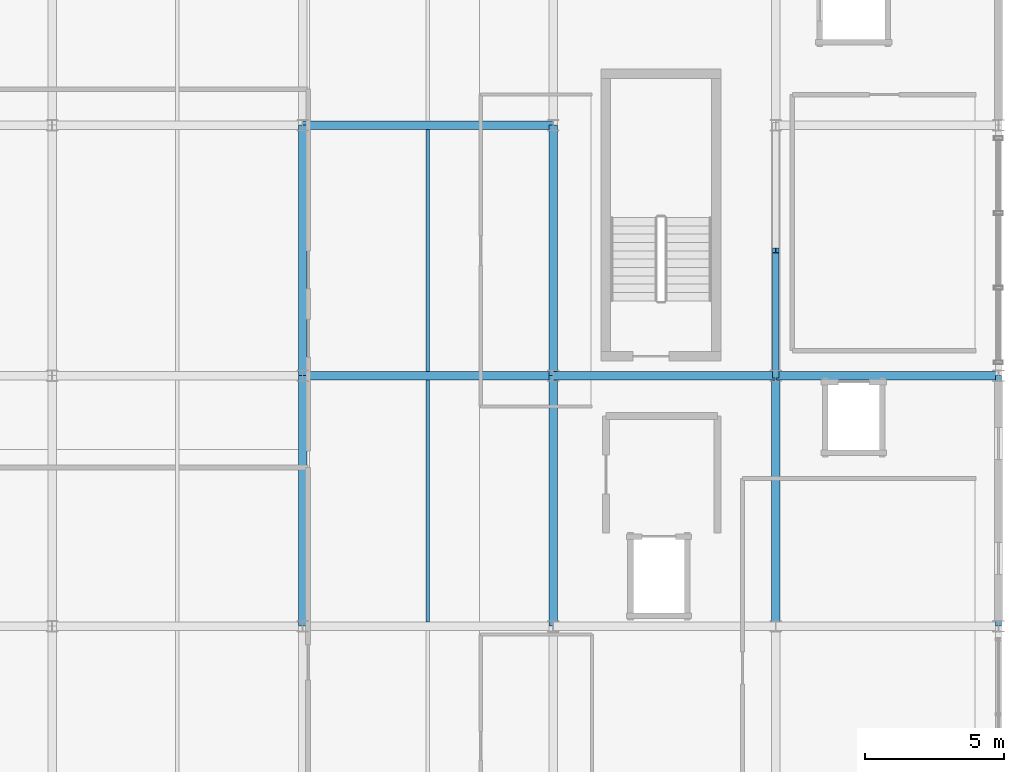
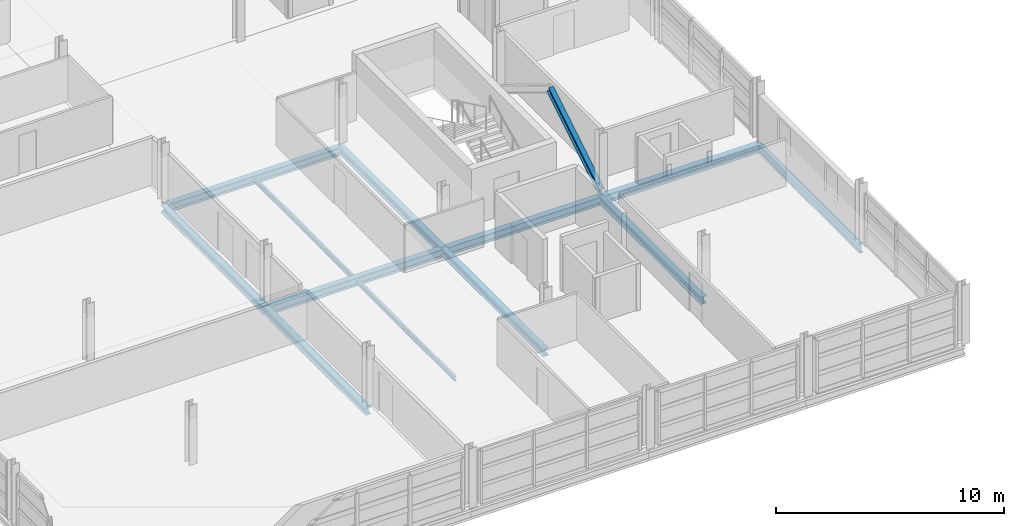
# One storey, part 44 of 86: 12 beams, 1 member.
"""IFC4 building model written with IfcOpenShell, lengths in metres."""

from ifc_helpers import new_model, si_unit, direction, frame, origin, origin_2d, place, context, subcontext, project, spatial, i_section, extrude, material, material_profile, profile_set, type_object, element, save


model = new_model("IFC4")

# Units and contexts
model_context = context("Model", 3, precision=1e-05, world=origin(), true_north=direction((0.0, 1.0)))
body_context = subcontext(model_context, "Body", "Model", "MODEL_VIEW")
ifc_project = project(units=[si_unit("LENGTHUNIT", "METRE"), si_unit("AREAUNIT", "SQUARE_METRE"), si_unit("VOLUMEUNIT", "CUBIC_METRE"), si_unit("PLANEANGLEUNIT", "RADIAN"), si_unit("MASSUNIT", "GRAM", prefix="KILO")], contexts=[model_context])

# Site, building, storey
site_placement = place(None, origin())
site = spatial("IfcSite", under=ifc_project, at=site_placement, CompositionType="ELEMENT")
building_placement = place(site_placement, origin())
building = spatial("IfcBuilding", under=site, at=building_placement, Name="Chuanluo Vaults Station", CompositionType="ELEMENT")
storey_placement = place(building_placement, frame((0.0, 0.0, 14.39990234375)))
storey = spatial("IfcBuildingStorey", under=building, at=storey_placement, Name="L03", CompositionType="ELEMENT", Elevation=14.39990234375)

# Beams
ifc_material_1 = material(Name="Steel Q355C", Category="steel")
ifc_material_profile_1 = material_profile(ifc_material_1, i_section(OverallWidth=0.300048828125, OverallDepth=0.389892578125, WebThickness=0.010009765625, FlangeThickness=0.01611328125, FilletRadius=0.02001953125, at=origin_2d()))
ifc_profile_set_1 = profile_set([ifc_material_profile_1], Name="Steel Q355C")
beam_type_1 = type_object("IfcBeamType", Name="BM-GRD-400", PredefinedType="BEAM", material=ifc_profile_set_1)
for number, where, z_axis, x_axis, name in (
    (1, (163.0, 76.5, -0.414794921875), (0.0, 1.0, 0.0), (-1.0, 0.0, 0.0), "Floor girder BM:GY:L03:0809"),
    (2, (163.0, 85.5, -0.414794921875), (0.0, 1.0, 0.0), (-1.0, 0.0, 0.0), "Floor girder BM:GY:L03:0810"),
    (3, (172.0, 76.5, -0.414794921875), (0.0, 1.0, 0.0), (-1.0, 0.0, 0.0), "Floor girder BM:GY:L03:0819"),
    (4, (172.0, 85.5, -0.414794921875), (0.0, 1.0, 0.0), (-1.0, 0.0, 0.0), "Floor girder BM:GY:L03:0820"),
    (5, (180.0, 76.5, -0.414794921875), (0.0, 1.0, 0.0), (-1.0, 0.0, 0.0), "Floor girder BM:GY:L03:0829"),
):
    element("IfcBeam", number, at=place(storey_placement, frame(where, z_axis=z_axis, x_axis=x_axis)), inside=storey, type_object=beam_type_1, Name=name, PredefinedType="BEAM", context=body_context, shape_type="SweptSolid", body=[
        extrude(i_section(OverallWidth=0.300048828125, OverallDepth=0.389892578125, WebThickness=0.010009765625, FlangeThickness=0.01611328125, FilletRadius=0.02001953125, at=origin_2d()), origin(), (0.0, 0.0, 1.0), 9.0),
    ])
ifc_material_2 = material(Name="Steel Q355C", Category="steel")
ifc_material_profile_2 = material_profile(ifc_material_2, i_section(OverallWidth=0.300048828125, OverallDepth=0.43994140625, WebThickness=0.010986328125, FlangeThickness=0.01806640625, FilletRadius=0.02001953125, at=origin_2d()))
ifc_profile_set_2 = profile_set([ifc_material_profile_2], Name="Steel Q355C")
beam_type_2 = type_object("IfcBeamType", Name="BM-GRD-450", PredefinedType="USERDEFINED", material=ifc_profile_set_2)
beam_1_placement = place(storey_placement, frame((163.0, 85.5, -0.43994140625), z_axis=(1.0, 0.0, 0.0), x_axis=(0.0, 1.0, 0.0)))
element("IfcBeam", 6, at=beam_1_placement, inside=storey, type_object=beam_type_2, Name="Floor girder BM:GX:L03:0746", ObjectType="GIRDER", PredefinedType="USERDEFINED", context=body_context, shape_type="SweptSolid", body=[
    extrude(i_section(OverallWidth=0.300048828125, OverallDepth=0.43994140625, WebThickness=0.010986328125, FlangeThickness=0.01806640625, FilletRadius=0.02001953125, at=origin_2d()), origin(), (0.0, 0.0, 1.0), 9.0),
])
for number, where, z_axis, x_axis, name in (
    (7, (172.0, 85.5, -0.43994140625), (1.0, 0.0, 0.0), (0.0, 1.0, 0.0), "Floor girder BM:GX:L03:0747"),
    (8, (180.0, 85.5, -0.43994140625), (1.0, 0.0, 0.0), (0.0, 1.0, 0.0), "Floor girder BM:GX:L03:0748"),
):
    element("IfcBeam", number, at=place(storey_placement, frame(where, z_axis=z_axis, x_axis=x_axis)), inside=storey, type_object=beam_type_2, Name=name, ObjectType="GIRDER", PredefinedType="USERDEFINED", context=body_context, shape_type="SweptSolid", body=[
        extrude(i_section(OverallWidth=0.300048828125, OverallDepth=0.43994140625, WebThickness=0.010986328125, FlangeThickness=0.01806640625, FilletRadius=0.02001953125, at=origin_2d()), origin(), (0.0, 0.0, 1.0), 8.0),
    ])
beam_2_placement = place(storey_placement, frame((163.0, 94.5, -0.43994140625), z_axis=(1.0, 0.0, 0.0), x_axis=(0.0, 1.0, 0.0)))
element("IfcBeam", 9, at=beam_2_placement, inside=storey, type_object=beam_type_2, Name="Floor girder BM:GX:L03:0751", ObjectType="GIRDER", PredefinedType="USERDEFINED", context=body_context, shape_type="SweptSolid", body=[
    extrude(i_section(OverallWidth=0.300048828125, OverallDepth=0.43994140625, WebThickness=0.010986328125, FlangeThickness=0.01806640625, FilletRadius=0.02001953125, at=origin_2d()), origin(), (0.0, 0.0, 1.0), 9.0),
])
ifc_material_3 = material(Name="Steel Q355C", Category="steel")
ifc_material_profile_3 = material_profile(ifc_material_3, i_section(OverallWidth=0.125, OverallDepth=0.25, WebThickness=0.006103515625, FlangeThickness=0.009033203125, FilletRadius=0.011962890625, at=origin_2d()))
ifc_profile_set_3 = profile_set([ifc_material_profile_3], Name="Steel Q355C")
beam_type_3 = type_object("IfcBeamType", Name="BM-SEC-250", PredefinedType="JOIST", material=ifc_profile_set_3)
for number, where, z_axis, x_axis, name in (
    (10, (167.5, 76.655029296875, -0.344970703125), (0.0, 1.0, 0.0), (-1.0, 0.0, 0.0), "Composite secondary joist 0254"),
    (11, (167.5, 85.655029296875, -0.344970703125), (0.0, 1.0, 0.0), (-1.0, 0.0, 0.0), "Composite secondary joist 0255"),
):
    element("IfcBeam", number, at=place(storey_placement, frame(where, z_axis=z_axis, x_axis=x_axis)), inside=storey, type_object=beam_type_3, Name=name, PredefinedType="JOIST", context=body_context, shape_type="SweptSolid", body=[
        extrude(i_section(OverallWidth=0.125, OverallDepth=0.25, WebThickness=0.006103515625, FlangeThickness=0.009033203125, FilletRadius=0.011962890625, at=origin_2d()), origin(), (0.0, 0.0, 1.0), 8.68994140625),
    ])
ifc_material_4 = material(Name="Steel Q355C", Category="steel")
ifc_material_profile_4 = material_profile(ifc_material_4, i_section(OverallWidth=0.205078125, OverallDepth=0.4599609375, WebThickness=0.009033203125, FlangeThickness=0.013916015625, FilletRadius=0.01611328125, at=origin_2d()))
ifc_profile_set_4 = profile_set([ifc_material_profile_4], Name="Steel Q355C")
beam_type_4 = type_object("IfcBeamType", Name="BM-SPN-450", PredefinedType="SPANDREL", material=ifc_profile_set_4)
beam_3_placement = place(storey_placement, frame((188.0, 76.5, -0.449951171875), z_axis=(0.0, 1.0, 0.0), x_axis=(-1.0, 0.0, 0.0)))
element("IfcBeam", 12, at=beam_3_placement, inside=storey, type_object=beam_type_4, Name="Floor girder BM:GY:L03:0835", PredefinedType="SPANDREL", context=body_context, shape_type="SweptSolid", body=[
    extrude(i_section(OverallWidth=0.205078125, OverallDepth=0.4599609375, WebThickness=0.009033203125, FlangeThickness=0.013916015625, FilletRadius=0.01611328125, at=origin_2d()), origin(), (0.0, 0.0, 1.0), 9.0),
])

# Member
ifc_material_5 = material(Name="Steel Q355C", Category="steel")
ifc_material_profile_5 = material_profile(ifc_material_5, i_section(OverallWidth=0.25, OverallDepth=0.340087890625, WebThickness=0.009033203125, FlangeThickness=0.013916015625, FilletRadius=0.01611328125, at=origin_2d()))
ifc_profile_set_5 = profile_set([ifc_material_profile_5], Name="Steel Q355C")
member_type = type_object("IfcMemberType", Name="MEM-CBR-340", PredefinedType="BRACE", material=ifc_profile_set_5)
member_placement = place(storey_placement, frame((180.0, 85.5, 0.0), z_axis=(0.0, 0.853281833652, 0.521450009454), x_axis=(-1.0, 0.0, 0.0)))
element("IfcMember", 13, at=member_placement, inside=storey, type_object=member_type, Name="Lateral chevron brace 07", PredefinedType="BRACE", context=body_context, shape_type="SweptSolid", body=[
    extrude(i_section(OverallWidth=0.25, OverallDepth=0.340087890625, WebThickness=0.009033203125, FlangeThickness=0.013916015625, FilletRadius=0.01611328125, at=origin_2d()), origin(), (0.0, 0.0, 1.0), 5.273681640625),
])

save(model, "model.ifc")
